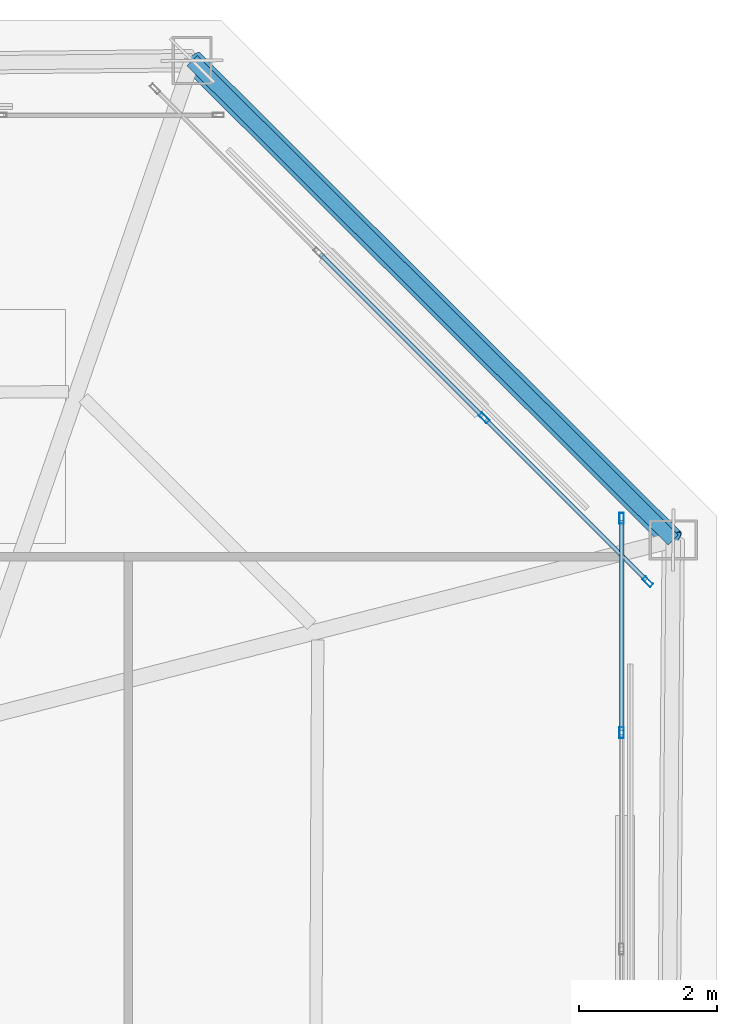
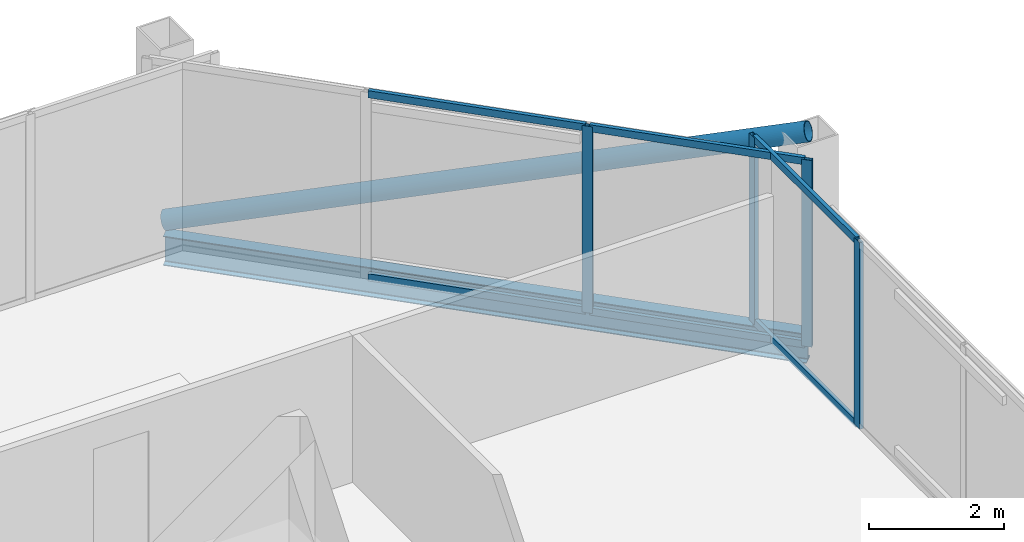
# One storey, part 19 of 26: 11 members, 1 beam, 2 elements without a shape of their own.
"""IFC4 building model written with IfcOpenShell, lengths in metres."""

from ifc_helpers import new_model, si_unit, direction, frame, origin, origin_2d, place, context, subcontext, project, spatial, hollow_rectangle, hollow_circle, i_section, extrude, material, layer, layer_set, material_profile, profile_set, type_object, element, aggregate, save


model = new_model("IFC4")

# Units and contexts
model_context = context("Model", 3, precision=1e-05, world=origin(), true_north=direction((0.0, 1.0)))
body_context = subcontext(model_context, "Body", "Model", "MODEL_VIEW")
ifc_project = project(units=[si_unit("LENGTHUNIT", "METRE"), si_unit("AREAUNIT", "SQUARE_METRE"), si_unit("VOLUMEUNIT", "CUBIC_METRE"), si_unit("PLANEANGLEUNIT", "RADIAN"), si_unit("MASSUNIT", "GRAM", prefix="KILO")], contexts=[model_context])

# Site, building, storey
site_placement = place(None, origin())
site = spatial("IfcSite", under=ifc_project, at=site_placement, CompositionType="ELEMENT")
building_placement = place(site_placement, origin())
building = spatial("IfcBuilding", under=site, at=building_placement, Name="Caelvoria Tower", CompositionType="ELEMENT")
storey_placement = place(building_placement, frame((0.0, 0.0, 239.39990234375)))
storey = spatial("IfcBuildingStorey", under=building, at=storey_placement, Name="L63", CompositionType="ELEMENT", Elevation=239.39990234375)

# Curtain wall, members
ifc_material_1 = material(Name="Anodised Bronze Aluminium and Low-E Glass", Category="aluminium")
ifc_layer = layer(ifc_material_1, 0.175048828125, Name="Anodised Bronze Aluminium and Low-E Glass")
ifc_layer_set = layer_set([ifc_layer], Name="CW System 4 High-Zone Tapered Crystal Facade - Anodised Bronze Aluminium and Low-E Glass")
curtain_wall_type = type_object("IfcCurtainWallType", Name="CW System 4 High-Zone Tapered Crystal Facade", PredefinedType="NOTDEFINED", material=ifc_layer_set)
curtain_wall_1_placement = place(storey_placement, origin())
curtain_wall_1 = element("IfcCurtainWall", 1, at=curtain_wall_1_placement, inside=storey, type_object=curtain_wall_type, Name="CW-04 Curtain Wall L63-E2", PredefinedType="NOTDEFINED")
ifc_material_2 = material(Name="Anodised Bronze Architectural Aluminium", Category="aluminium")
ifc_material_profile_1 = material_profile(ifc_material_2, hollow_rectangle(XDim=0.06494140625, YDim=0.159912109375, WallThickness=0.00390625, at=origin_2d()), Name="Anodised Bronze Architectural Aluminium")
ifc_profile_set_1 = profile_set([ifc_material_profile_1], Name="CW_MULL_65X160 - Anodised Bronze Architectural Aluminium")
member_type_1 = type_object("IfcMemberType", Name="Curtain Wall Mullion 65x160 Bronze Aluminium", PredefinedType="MULLION", material=ifc_profile_set_1)
member_1_placement = place(storey_placement, frame((64.570068359375, 39.857177734375, 0.0), z_axis=(0.0, 0.0, 1.0), x_axis=(-1.0, 0.0, 0.0)))
member_1 = element("IfcMember", 2, at=member_1_placement, type_object=member_type_1, Name="CW-04 mullion 7", PredefinedType="MULLION", context=body_context, shape_type="SweptSolid", body=[
    extrude(hollow_rectangle(XDim=0.06494140625, YDim=0.159912109375, WallThickness=0.00390625, at=origin_2d()), origin(), (0.0, 0.0, 1.0), 3.375),
])
member_2_placement = place(storey_placement, frame((64.570068359375, 42.967529296875, 0.0), z_axis=(0.0, 0.0, 1.0), x_axis=(-1.0, 0.0, 0.0)))
member_2 = element("IfcMember", 3, at=member_2_placement, type_object=member_type_1, Name="CW-04 mullion 8", PredefinedType="MULLION", context=body_context, shape_type="SweptSolid", body=[
    extrude(hollow_rectangle(XDim=0.06494140625, YDim=0.159912109375, WallThickness=0.00390625, at=origin_2d()), origin(), (0.0, 0.0, 1.0), 3.375),
])

curtain_wall_2_placement = place(storey_placement, origin())
curtain_wall_2 = element("IfcCurtainWall", 4, at=curtain_wall_2_placement, inside=storey, type_object=curtain_wall_type, Name="CW-04 Curtain Wall L63-E3", PredefinedType="NOTDEFINED")
member_3_placement = place(storey_placement, frame((64.951171875, 42.047119140625, 0.0), z_axis=(0.0, 0.0, 1.0), x_axis=(-0.707106781187, -0.707106781187, 0.0)))
member_3 = element("IfcMember", 5, at=member_3_placement, type_object=member_type_1, Name="CW-04 mullion 1", PredefinedType="MULLION", context=body_context, shape_type="SweptSolid", body=[
    extrude(hollow_rectangle(XDim=0.06494140625, YDim=0.159912109375, WallThickness=0.00390625, at=origin_2d()), origin(), (0.0, 0.0, 1.0), 3.375),
])
member_4_placement = place(storey_placement, frame((62.57421875, 44.42431640625, 0.0), z_axis=(0.0, 0.0, 1.0), x_axis=(-0.707106781187, -0.707106781187, 0.0)))
member_4 = element("IfcMember", 6, at=member_4_placement, type_object=member_type_1, Name="CW-04 mullion 2", PredefinedType="MULLION", context=body_context, shape_type="SweptSolid", body=[
    extrude(hollow_rectangle(XDim=0.06494140625, YDim=0.159912109375, WallThickness=0.00390625, at=origin_2d()), origin(), (0.0, 0.0, 1.0), 3.375),
])

# Member
ifc_material_profile_2 = material_profile(ifc_material_2, hollow_rectangle(XDim=0.06494140625, YDim=0.1298828125, WallThickness=0.00341796875, at=origin_2d()), Name="Anodised Bronze Architectural Aluminium")
ifc_profile_set_2 = profile_set([ifc_material_profile_2], Name="CW_TRAN_65X130 - Anodised Bronze Architectural Aluminium")
member_type_2 = type_object("IfcMemberType", Name="Curtain Wall Transom 65x130 Bronze Aluminium", PredefinedType="USERDEFINED", material=ifc_profile_set_2)
member_5_placement = place(storey_placement, frame((64.570068359375, 39.8896484375, 0.03271484375), z_axis=(0.0, 1.0, 0.0), x_axis=(-1.0, 0.0, 0.0)))
member_5 = element("IfcMember", 7, at=member_5_placement, type_object=member_type_2, Name="CW-04 transom 7.1", ObjectType="TRANSOM", PredefinedType="USERDEFINED", context=body_context, shape_type="SweptSolid", body=[
    extrude(hollow_rectangle(XDim=0.06494140625, YDim=0.1298828125, WallThickness=0.00341796875, at=origin_2d()), origin(), (0.0, 0.0, 1.0), 3.04541015625),
])

member_6_placement = place(storey_placement, frame((64.570068359375, 39.8896484375, 3.342529296875), z_axis=(0.0, 1.0, 0.0), x_axis=(-1.0, 0.0, 0.0)))
member_6 = element("IfcMember", 8, at=member_6_placement, type_object=member_type_2, Name="CW-04 transom 7.2", ObjectType="TRANSOM", PredefinedType="USERDEFINED", context=body_context, shape_type="SweptSolid", body=[
    extrude(hollow_rectangle(XDim=0.06494140625, YDim=0.1298828125, WallThickness=0.00341796875, at=origin_2d()), origin(), (0.0, 0.0, 1.0), 3.04541015625),
])

aggregate(curtain_wall_1, [member_1, member_2, member_5, member_6])

member_7_placement = place(storey_placement, frame((64.92822265625, 42.070068359375, 0.03271484375), z_axis=(-0.707106781187, 0.707106781187, 0.0), x_axis=(-0.707106781187, -0.707106781187, 0.0)))
member_7 = element("IfcMember", 9, at=member_7_placement, type_object=member_type_2, Name="CW-04 transom 1.1", ObjectType="TRANSOM", PredefinedType="USERDEFINED", context=body_context, shape_type="SweptSolid", body=[
    extrude(hollow_rectangle(XDim=0.06494140625, YDim=0.1298828125, WallThickness=0.00341796875, at=origin_2d()), origin(), (0.0, 0.0, 1.0), 3.296630859375),
])

member_8_placement = place(storey_placement, frame((64.92822265625, 42.070068359375, 3.342529296875), z_axis=(-0.707106781187, 0.707106781187, 0.0), x_axis=(-0.707106781187, -0.707106781187, 0.0)))
member_8 = element("IfcMember", 10, at=member_8_placement, type_object=member_type_2, Name="CW-04 transom 1.2", ObjectType="TRANSOM", PredefinedType="USERDEFINED", context=body_context, shape_type="SweptSolid", body=[
    extrude(hollow_rectangle(XDim=0.06494140625, YDim=0.1298828125, WallThickness=0.00341796875, at=origin_2d()), origin(), (0.0, 0.0, 1.0), 3.296630859375),
])

member_9_placement = place(storey_placement, frame((62.55126953125, 44.447265625, 0.03271484375), z_axis=(-0.707106781187, 0.707106781187, 0.0), x_axis=(-0.707106781187, -0.707106781187, 0.0)))
member_9 = element("IfcMember", 11, at=member_9_placement, type_object=member_type_2, Name="CW-04 transom 2.1", ObjectType="TRANSOM", PredefinedType="USERDEFINED", context=body_context, shape_type="SweptSolid", body=[
    extrude(hollow_rectangle(XDim=0.06494140625, YDim=0.1298828125, WallThickness=0.00341796875, at=origin_2d()), origin(), (0.0, 0.0, 1.0), 3.3291015625),
])

member_10_placement = place(storey_placement, frame((62.55126953125, 44.447265625, 3.342529296875), z_axis=(-0.707106781187, 0.707106781187, 0.0), x_axis=(-0.707106781187, -0.707106781187, 0.0)))
member_10 = element("IfcMember", 12, at=member_10_placement, type_object=member_type_2, Name="CW-04 transom 2.2", ObjectType="TRANSOM", PredefinedType="USERDEFINED", context=body_context, shape_type="SweptSolid", body=[
    extrude(hollow_rectangle(XDim=0.06494140625, YDim=0.1298828125, WallThickness=0.00341796875, at=origin_2d()), origin(), (0.0, 0.0, 1.0), 3.3291015625),
])

aggregate(curtain_wall_2, [member_3, member_4, member_7, member_8, member_9, member_10])

ifc_material_3 = material(Name="Structural Steel ASTM A572 Gr.50", Category="steel")
ifc_material_profile_3 = material_profile(ifc_material_3, hollow_circle(Radius=0.162109375, WallThickness=0.0126953125, at=origin_2d()), Name="Structural Steel ASTM A572 Gr.50")
ifc_profile_set_3 = profile_set([ifc_material_profile_3], Name="CHS324X12.7 - Structural Steel ASTM A572 Gr.50")
member_type_3 = type_object("IfcMemberType", Name="Summit Perimeter Mega Brace CHS324X12.7", PredefinedType="BRACE", material=ifc_profile_set_3)
member_11_placement = place(storey_placement, frame((58.3369140625, 49.6103515625, 0.0), z_axis=(0.670165562834, -0.667798976986, 0.323917651153), x_axis=(0.705854949612, 0.708356400486, 0.0)))
element("IfcMember", 13, at=member_11_placement, inside=storey, type_object=member_type_3, Name="Perimeter Chamfer Mega Brace L63 NE", PredefinedType="BRACE", context=body_context, shape_type="SweptSolid", body=[
    extrude(hollow_circle(Radius=0.162109375, WallThickness=0.0126953125, at=origin_2d()), origin(), (0.0, 0.0, 1.0), 10.41943359375),
])

# Beam
ifc_material_4 = material(Name="Structural Steel ASTM A992 Gr.50", Category="steel")
ifc_material_profile_4 = material_profile(ifc_material_4, i_section(OverallWidth=0.208984375, OverallDepth=0.532958984375, WebThickness=0.01025390625, FlangeThickness=0.015625, FilletRadius=0.01611328125, at=origin_2d()), Name="Structural Steel ASTM A992 Gr.50")
ifc_profile_set_4 = profile_set([ifc_material_profile_4], Name="W530X92 - Structural Steel ASTM A992 Gr.50")
beam_type = type_object("IfcBeamType", Name="Upper Zone Spandrel W530X92", PredefinedType="BEAM", material=ifc_profile_set_4)
beam_placement = place(storey_placement, frame((65.319580078125, 42.65234375, -0.491455078125), z_axis=(-0.708356400486, 0.705854949612, 0.0), x_axis=(-0.705854949612, -0.708356400486, 0.0)))
element("IfcBeam", 14, at=beam_placement, inside=storey, type_object=beam_type, Name="Perimeter Spandrel Girder L63-05", PredefinedType="BEAM", context=body_context, shape_type="SweptSolid", body=[
    extrude(i_section(OverallWidth=0.208984375, OverallDepth=0.532958984375, WebThickness=0.01025390625, FlangeThickness=0.015625, FilletRadius=0.01611328125, at=origin_2d()), origin(), (0.0, 0.0, 1.0), 9.857666015625),
])

save(model, "model.ifc")
